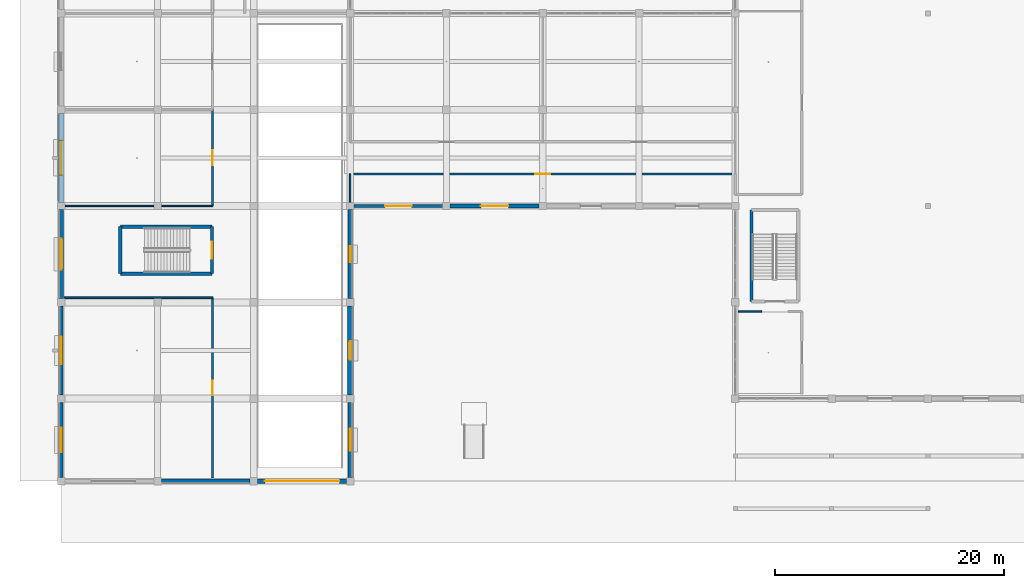
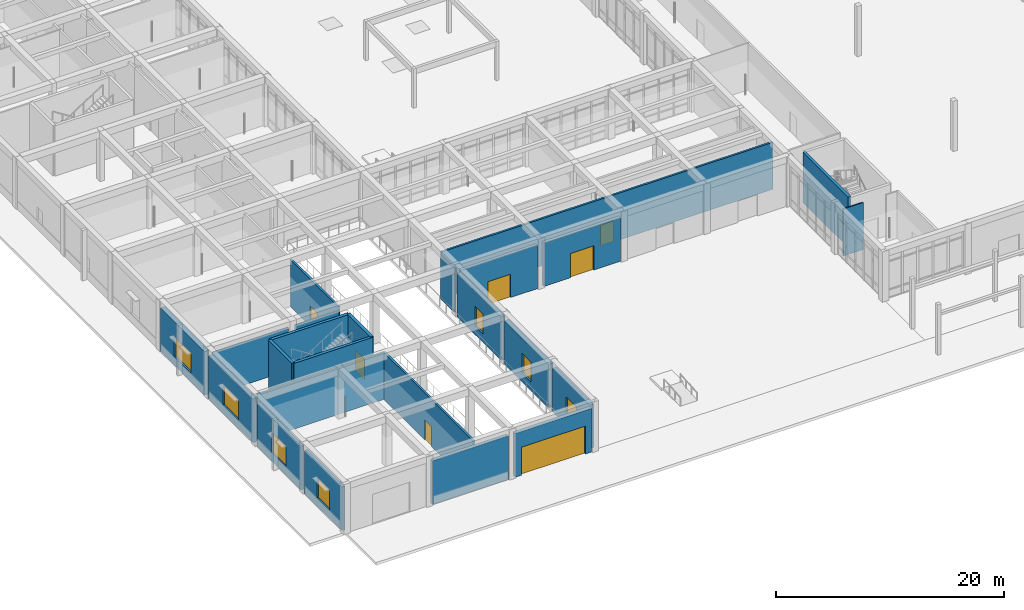
# One storey, part 61 of 167: 24 walls, 7 doors, 7 windows, 14 openings.
"""IFC4 building model written with IfcOpenShell, lengths in metres."""

from ifc_helpers import new_model, si_unit, direction, frame, frame_2d, origin, place, context, subcontext, project, spatial, rectangle, extrude, material, layer, layer_set, type_object, element, fill, save


model = new_model("IFC4")

# Units and contexts
model_context = context("Model", 3, precision=1e-05, world=origin(), true_north=direction((0.0, 1.0)))
body_context = subcontext(model_context, "Body", "Model", "MODEL_VIEW")
ifc_project = project(units=[si_unit("LENGTHUNIT", "METRE"), si_unit("AREAUNIT", "SQUARE_METRE"), si_unit("VOLUMEUNIT", "CUBIC_METRE"), si_unit("PLANEANGLEUNIT", "RADIAN"), si_unit("MASSUNIT", "GRAM", prefix="KILO")], contexts=[model_context])

# Site, building, storey
site_placement = place(None, origin())
site = spatial("IfcSite", under=ifc_project, at=site_placement, CompositionType="ELEMENT")
building_placement = place(site_placement, origin())
building = spatial("IfcBuilding", under=site, at=building_placement, Name="Varncliffe General Hospital", CompositionType="ELEMENT")
storey_placement = place(building_placement, origin())
storey = spatial("IfcBuildingStorey", under=building, at=storey_placement, Name="L00", CompositionType="ELEMENT", Elevation=0.0)

# Wall, opening, door
ifc_material_1 = material(Name="Precast concrete C40/50 with insulated cream lime-cement stucco", Category="concrete")
ifc_layer_1 = layer(ifc_material_1, 0.31005859375)
ifc_layer_set_1 = layer_set([ifc_layer_1], Name="Precast concrete C40/50 with insulated cream lime-cement stucco")
wall_type_1 = type_object("IfcWallType", Name="Exterior Insulated Stucco Wall EW20 (310mm)", PredefinedType="SOLIDWALL", material=ifc_layer_set_1)
wall_1_placement = place(storey_placement, frame((41.677001953125, 24.0, 0.0), z_axis=(0.0, 0.0, 1.0), x_axis=(-1.0, 0.0, 0.0)))
wall_1 = element("IfcWall", 1, at=wall_1_placement, inside=storey, type_object=wall_type_1, Name="L00 Exterior Stucco Wall EW20-69", PredefinedType="SOLIDWALL", context=body_context, shape_type="SweptSolid", body=[
    extrude(rectangle(XDim=7.75390625, YDim=0.31005859375, at=frame_2d((3.876953125, 0.0))), origin(), (0.0, 0.0, 1.0), 4.679931640625),
])
opening_1_placement = place(wall_1_placement, frame((2.677001953125, 0.0, 0.0)))
opening_1 = element("IfcOpeningElement", 2, at=opening_1_placement, cuts=wall_1, Name="Opening DE17", PredefinedType="OPENING", context=body_context, shape_type="SweptSolid", body=[
    extrude(rectangle(XDim=2.39990234375, YDim=2.60009765625, at=frame_2d((1.199951171875, 1.300048828125))), frame((0.0, 0.1650390625, 0.0), z_axis=(0.0, -1.0, 0.0), x_axis=(1.0, 0.0, 0.0)), (0.0, 0.0, 1.0), 0.330078125),
])
ifc_material_2 = material(Name="Thermally broken bronze-anodized aluminium and safety glass door", Category="aluminium")
door_type_1 = type_object("IfcDoorType", Name="Exterior Pedestrian Door DE17 (2400x2600)", OperationType="NOTDEFINED", PredefinedType="DOOR", material=ifc_material_2)
door_1_placement = place(opening_1_placement, origin())
door_1 = element("IfcDoor", 3, at=door_1_placement, inside=storey, type_object=door_type_1, Name="Main Pedestrian Entrance and Final Exit Door FE-24", OperationType="DOUBLE_DOOR_SINGLE_SWING", OverallHeight=2.60009765625, OverallWidth=2.39990234375, PredefinedType="DOOR", context=body_context, shape_type="SweptSolid", body=[
    extrude(rectangle(XDim=2.39990234375, YDim=2.60009765625, at=frame_2d((1.199951171875, 1.300048828125))), frame((0.0, 0.02490234375, 0.0), z_axis=(0.0, -1.0, 0.0), x_axis=(1.0, 0.0, 0.0)), (0.0, 0.0, 1.0), 0.050048828125),
])
fill(opening_1, door_1)

# Wall, opening, window
wall_2_placement = place(storey_placement, frame((0.0, 0.322998046875, 0.0), z_axis=(0.0, 0.0, 1.0), x_axis=(0.0, 1.0, 0.0)))
wall_2 = element("IfcWall", 4, at=wall_2_placement, inside=storey, type_object=wall_type_1, Name="L00 Exterior Stucco Wall EW20-77", PredefinedType="SOLIDWALL", context=body_context, shape_type="SweptSolid", body=[
    extrude(rectangle(XDim=6.553955078125, YDim=0.31005859375, at=frame_2d((3.27685546875, 0.0))), origin(), (0.0, 0.0, 1.0), 4.679931640625),
])
opening_2_placement = place(wall_2_placement, frame((2.201904296875, 0.0, 0.89990234375)))
opening_2 = element("IfcOpeningElement", 5, at=opening_2_placement, cuts=wall_2, Name="Opening WN57", PredefinedType="OPENING", context=body_context, shape_type="SweptSolid", body=[
    extrude(rectangle(XDim=2.14990234375, YDim=2.14990234375, at=frame_2d((1.074951171875, 1.074951171875))), frame((0.0, 0.1650390625, 0.0), z_axis=(0.0, -1.0, 0.0), x_axis=(1.0, 0.0, 0.0)), (0.0, 0.0, 1.0), 0.330078125),
])
ifc_material_3 = material(Name="Triple low-E argon insulated vision glazing", Category="glass")
window_type_1 = type_object("IfcWindowType", Name="Triple-Glazed Hospital Window WN57 (2150x2150)", PartitioningType="DOUBLE_PANEL_VERTICAL", PredefinedType="WINDOW", material=ifc_material_3)
window_1_placement = place(opening_2_placement, origin())
window_1 = element("IfcWindow", 6, at=window_1_placement, inside=storey, type_object=window_type_1, Name="L00 Hospital Window WN57-37", OverallHeight=2.14990234375, OverallWidth=2.14990234375, PartitioningType="DOUBLE_PANEL_VERTICAL", PredefinedType="WINDOW", context=body_context, shape_type="SweptSolid", body=[
    extrude(rectangle(XDim=2.14990234375, YDim=2.14990234375, at=frame_2d((1.074951171875, 1.074951171875))), frame((0.0, 0.030029296875, 0.0), z_axis=(0.0, -1.0, 0.0), x_axis=(1.0, 0.0, 0.0)), (0.0, 0.0, 1.0), 0.06005859375),
])
fill(opening_2, window_1)

ifc_layer_2 = layer(ifc_material_1, 0.3798828125)
ifc_layer_set_2 = layer_set([ifc_layer_2], Name="Precast concrete C40/50 with insulated cream lime-cement stucco")
wall_type_2 = type_object("IfcWallType", Name="Exterior Insulated Stucco Wall EW26 (380mm)", PredefinedType="SOLIDWALL", material=ifc_layer_set_2)
wall_3_placement = place(storey_placement, frame((25.199951171875, 23.677001953125, 0.0), z_axis=(0.0, 0.0, 1.0), x_axis=(0.0, -1.0, 0.0)))
wall_3 = element("IfcWall", 7, at=wall_3_placement, inside=storey, type_object=wall_type_2, Name="L00 Exterior Stucco Wall EW26-71", PredefinedType="SOLIDWALL", context=body_context, shape_type="SweptSolid", body=[
    extrude(rectangle(XDim=7.75390625, YDim=0.3798828125, at=frame_2d((3.876953125, 0.0))), origin(), (0.0, 0.0, 1.0), 4.679931640625),
])
opening_3_placement = place(wall_3_placement, frame((3.177001953125, 0.0, 0.89990234375)))
opening_3 = element("IfcOpeningElement", 8, at=opening_3_placement, cuts=wall_3, Name="Opening WN11", PredefinedType="OPENING", context=body_context, shape_type="SweptSolid", body=[
    extrude(rectangle(XDim=1.39990234375, YDim=2.14990234375, at=frame_2d((0.699951171875, 1.074951171875))), frame((0.0, 0.199951171875, 0.0), z_axis=(0.0, -1.0, 0.0), x_axis=(1.0, 0.0, 0.0)), (0.0, 0.0, 1.0), 0.39990234375),
])
window_type_2 = type_object("IfcWindowType", Name="Triple-Glazed Hospital Window WN11 (1400x2150)", PartitioningType="SINGLE_PANEL", PredefinedType="WINDOW", material=ifc_material_3)
window_2_placement = place(opening_3_placement, origin())
window_2 = element("IfcWindow", 9, at=window_2_placement, inside=storey, type_object=window_type_2, Name="L00 Hospital Window WN11-34", OverallHeight=2.14990234375, OverallWidth=1.39990234375, PartitioningType="SINGLE_PANEL", PredefinedType="WINDOW", context=body_context, shape_type="SweptSolid", body=[
    extrude(rectangle(XDim=1.39990234375, YDim=2.14990234375, at=frame_2d((0.699951171875, 1.074951171875))), frame((0.0, 0.030029296875, 0.0), z_axis=(0.0, -1.0, 0.0), x_axis=(1.0, 0.0, 0.0)), (0.0, 0.0, 1.0), 0.06005859375),
])
fill(opening_3, window_2)

# Wall, opening, door
wall_4_placement = place(storey_placement, frame((24.876953125, 0.0, 0.0), z_axis=(0.0, 0.0, 1.0), x_axis=(-1.0, 0.0, 0.0)))
wall_4 = element("IfcWall", 10, at=wall_4_placement, inside=storey, type_object=wall_type_2, Name="L00 Exterior Stucco Wall EW26-74", PredefinedType="SOLIDWALL", context=body_context, shape_type="SweptSolid", body=[
    extrude(rectangle(XDim=7.75390625, YDim=0.3798828125, at=frame_2d((3.876953125, 0.0))), origin(), (0.0, 0.0, 1.0), 4.679931640625),
])
opening_4_placement = place(wall_4_placement, frame((0.626953125, 0.0, 0.0)))
opening_4 = element("IfcOpeningElement", 11, at=opening_4_placement, cuts=wall_4, Name="Opening VG42", PredefinedType="OPENING", context=body_context, shape_type="SweptSolid", body=[
    extrude(rectangle(XDim=6.5, YDim=3.0, at=frame_2d((3.25, 1.5))), frame((0.0, 0.199951171875, 0.0), z_axis=(0.0, -1.0, 0.0), x_axis=(1.0, 0.0, 0.0)), (0.0, 0.0, 1.0), 0.39990234375),
])
ifc_material_4 = material(Name="Insulated motorized dark bronze bi-parting vehicle gate", Category="aluminium")
door_type_2 = type_object("IfcDoorType", Name="Exterior Vehicle Gate VG42 (6500x3000)", OperationType="DOUBLE_DOOR_SLIDING", PredefinedType="GATE", material=ifc_material_4)
door_2_placement = place(opening_4_placement, origin())
door_2 = element("IfcDoor", 12, at=door_2_placement, inside=storey, type_object=door_type_2, Name="Vehicle Gate VG-02 Car-Park Ramp Entrance", OperationType="DOUBLE_DOOR_SLIDING", OverallHeight=3.0, OverallWidth=6.5, PredefinedType="GATE", context=body_context, shape_type="SweptSolid", body=[
    extrude(rectangle(XDim=6.5, YDim=3.0, at=frame_2d((3.25, 1.5))), frame((0.0, 0.02490234375, 0.0), z_axis=(0.0, -1.0, 0.0), x_axis=(1.0, 0.0, 0.0)), (0.0, 0.0, 1.0), 0.050048828125),
])
fill(opening_4, door_2)

# Wall, opening, window
wall_5_placement = place(storey_placement, frame((0.0, 15.923095703125, 0.0), z_axis=(0.0, 0.0, 1.0), x_axis=(0.0, 1.0, 0.0)))
wall_5 = element("IfcWall", 13, at=wall_5_placement, inside=storey, type_object=wall_type_2, Name="L00 Exterior Stucco Wall EW26-79", PredefinedType="SOLIDWALL", context=body_context, shape_type="SweptSolid", body=[
    extrude(rectangle(XDim=7.75390625, YDim=0.3798828125, at=frame_2d((3.876953125, 0.0))), origin(), (0.0, 0.0, 1.0), 4.679931640625),
])
opening_5_placement = place(wall_5_placement, frame((2.527099609375, 0.0, 0.89990234375)))
opening_5 = element("IfcOpeningElement", 14, at=opening_5_placement, cuts=wall_5, Name="Opening WN58", PredefinedType="OPENING", context=body_context, shape_type="SweptSolid", body=[
    extrude(rectangle(XDim=2.699951171875, YDim=2.14990234375, at=frame_2d((1.35009765625, 1.074951171875))), frame((0.0, 0.199951171875, 0.0), z_axis=(0.0, -1.0, 0.0), x_axis=(1.0, 0.0, 0.0)), (0.0, 0.0, 1.0), 0.39990234375),
])
window_type_3 = type_object("IfcWindowType", Name="Triple-Glazed Hospital Window WN58 (2700x2150)", PartitioningType="DOUBLE_PANEL_VERTICAL", PredefinedType="WINDOW", material=ifc_material_3)
window_3_placement = place(opening_5_placement, origin())
window_3 = element("IfcWindow", 15, at=window_3_placement, inside=storey, type_object=window_type_3, Name="L00 Hospital Window WN58-39", OverallHeight=2.14990234375, OverallWidth=2.699951171875, PartitioningType="DOUBLE_PANEL_VERTICAL", PredefinedType="WINDOW", context=body_context, shape_type="SweptSolid", body=[
    extrude(rectangle(XDim=2.699951171875, YDim=2.14990234375, at=frame_2d((1.35009765625, 1.074951171875))), frame((0.0, 0.030029296875, 0.0), z_axis=(0.0, -1.0, 0.0), x_axis=(1.0, 0.0, 0.0)), (0.0, 0.0, 1.0), 0.06005859375),
])
fill(opening_5, window_3)

# Wall, opening, door
ifc_layer_3 = layer(ifc_material_1, 0.2900390625)
ifc_layer_set_3 = layer_set([ifc_layer_3], Name="Precast concrete C40/50 with insulated cream lime-cement stucco")
wall_type_3 = type_object("IfcWallType", Name="Exterior Insulated Stucco Wall EW31 (290mm)", PredefinedType="SOLIDWALL", material=ifc_layer_set_3)
wall_6_placement = place(storey_placement, frame((33.277099609375, 24.0, 0.0), z_axis=(0.0, 0.0, 1.0), x_axis=(-1.0, 0.0, 0.0)))
wall_6 = element("IfcWall", 16, at=wall_6_placement, inside=storey, type_object=wall_type_3, Name="L00 Exterior Stucco Wall EW31-70", PredefinedType="SOLIDWALL", context=body_context, shape_type="SweptSolid", body=[
    extrude(rectangle(XDim=7.754150390625, YDim=0.2900390625, at=frame_2d((3.876953125, 0.0))), origin(), (0.0, 0.0, 1.0), 4.679931640625),
])
opening_6_placement = place(wall_6_placement, frame((2.72705078125, 0.0, 0.0)))
opening_6 = element("IfcOpeningElement", 17, at=opening_6_placement, cuts=wall_6, Name="Opening DE14", PredefinedType="OPENING", context=body_context, shape_type="SweptSolid", body=[
    extrude(rectangle(XDim=2.300048828125, YDim=2.5, at=frame_2d((1.14990234375, 1.25))), frame((0.0, 0.155029296875, 0.0), z_axis=(0.0, -1.0, 0.0), x_axis=(1.0, 0.0, 0.0)), (0.0, 0.0, 1.0), 0.31005859375),
])
door_type_3 = type_object("IfcDoorType", Name="Exterior Pedestrian Door DE14 (2300x2500)", OperationType="NOTDEFINED", PredefinedType="DOOR", material=ifc_material_2)
door_3_placement = place(opening_6_placement, origin())
door_3 = element("IfcDoor", 18, at=door_3_placement, inside=storey, type_object=door_type_3, Name="Main Pedestrian Entrance and Final Exit Door FE-25", OperationType="DOUBLE_DOOR_SINGLE_SWING", OverallHeight=2.5, OverallWidth=2.300048828125, PredefinedType="DOOR", context=body_context, shape_type="SweptSolid", body=[
    extrude(rectangle(XDim=2.300048828125, YDim=2.5, at=frame_2d((1.14990234375, 1.25))), frame((0.0, 0.02490234375, 0.0), z_axis=(0.0, -1.0, 0.0), x_axis=(1.0, 0.0, 0.0)), (0.0, 0.0, 1.0), 0.050048828125),
])
fill(opening_6, door_3)

# Wall, opening, window
wall_7_placement = place(storey_placement, frame((0.0, 7.52294921875, 0.0), z_axis=(0.0, 0.0, 1.0), x_axis=(0.0, 1.0, 0.0)))
wall_7 = element("IfcWall", 19, at=wall_7_placement, inside=storey, type_object=wall_type_3, Name="L00 Exterior Stucco Wall EW31-78", PredefinedType="SOLIDWALL", context=body_context, shape_type="SweptSolid", body=[
    extrude(rectangle(XDim=7.754150390625, YDim=0.2900390625, at=frame_2d((3.876953125, 0.0))), origin(), (0.0, 0.0, 1.0), 4.679931640625),
])
opening_7_placement = place(wall_7_placement, frame((2.677001953125, 0.0, 0.89990234375)))
opening_7 = element("IfcOpeningElement", 20, at=opening_7_placement, cuts=wall_7, Name="Opening WN61", PredefinedType="OPENING", context=body_context, shape_type="SweptSolid", body=[
    extrude(rectangle(XDim=2.39990234375, YDim=2.14990234375, at=frame_2d((1.199951171875, 1.074951171875))), frame((0.0, 0.155029296875, 0.0), z_axis=(0.0, -1.0, 0.0), x_axis=(1.0, 0.0, 0.0)), (0.0, 0.0, 1.0), 0.31005859375),
])
window_type_4 = type_object("IfcWindowType", Name="Triple-Glazed Hospital Window WN61 (2400x2150)", PartitioningType="DOUBLE_PANEL_VERTICAL", PredefinedType="WINDOW", material=ifc_material_3)
window_4_placement = place(opening_7_placement, origin())
window_4 = element("IfcWindow", 21, at=window_4_placement, inside=storey, type_object=window_type_4, Name="L00 Hospital Window WN61-38", OverallHeight=2.14990234375, OverallWidth=2.39990234375, PartitioningType="DOUBLE_PANEL_VERTICAL", PredefinedType="WINDOW", context=body_context, shape_type="SweptSolid", body=[
    extrude(rectangle(XDim=2.39990234375, YDim=2.14990234375, at=frame_2d((1.199951171875, 1.074951171875))), frame((0.0, 0.030029296875, 0.0), z_axis=(0.0, -1.0, 0.0), x_axis=(1.0, 0.0, 0.0)), (0.0, 0.0, 1.0), 0.06005859375),
])
fill(opening_7, window_4)

ifc_material_5 = material(Name="Concrete C40/50 (CSA A23.1 40 MPa)", Category="concrete")
ifc_layer_4 = layer(ifc_material_5, 0.449951171875)
ifc_layer_set_4 = layer_set([ifc_layer_4], Name="Concrete C40/50 (CSA A23.1 40 MPa)")
wall_type_4 = type_object("IfcWallType", Name="Exterior Insulated Stucco Wall EW36 (450mm)", PredefinedType="SOLIDWALL", material=ifc_layer_set_4)
wall_8_placement = place(storey_placement, frame((25.199951171875, 15.277099609375, 0.0), z_axis=(0.0, 0.0, 1.0), x_axis=(0.0, -1.0, 0.0)))
wall_8 = element("IfcWall", 22, at=wall_8_placement, inside=storey, type_object=wall_type_4, Name="L00 Exterior Stucco Wall EW36-72", PredefinedType="SOLIDWALL", context=body_context, shape_type="SweptSolid", body=[
    extrude(rectangle(XDim=7.754150390625, YDim=0.449951171875, at=frame_2d((3.876953125, 0.0))), origin(), (0.0, 0.0, 1.0), 4.679931640625),
])
opening_8_placement = place(wall_8_placement, frame((3.052001953125, 0.0, 0.89990234375)))
opening_8 = element("IfcOpeningElement", 23, at=opening_8_placement, cuts=wall_8, Name="Opening WN42", PredefinedType="OPENING", context=body_context, shape_type="SweptSolid", body=[
    extrude(rectangle(XDim=1.64990234375, YDim=2.14990234375, at=frame_2d((0.824951171875, 1.074951171875))), frame((0.0, 0.23486328125, 0.0), z_axis=(0.0, -1.0, 0.0), x_axis=(1.0, 0.0, 0.0)), (0.0, 0.0, 1.0), 0.469970703125),
])
window_type_5 = type_object("IfcWindowType", Name="Triple-Glazed Hospital Window WN42 (1650x2150)", PartitioningType="DOUBLE_PANEL_VERTICAL", PredefinedType="WINDOW", material=ifc_material_3)
window_5_placement = place(opening_8_placement, origin())
window_5 = element("IfcWindow", 24, at=window_5_placement, inside=storey, type_object=window_type_5, Name="L00 Hospital Window WN42-35", OverallHeight=2.14990234375, OverallWidth=1.64990234375, PartitioningType="DOUBLE_PANEL_VERTICAL", PredefinedType="WINDOW", context=body_context, shape_type="SweptSolid", body=[
    extrude(rectangle(XDim=1.64990234375, YDim=2.14990234375, at=frame_2d((0.824951171875, 1.074951171875))), frame((0.0, 0.030029296875, 0.0), z_axis=(0.0, -1.0, 0.0), x_axis=(1.0, 0.0, 0.0)), (0.0, 0.0, 1.0), 0.06005859375),
])
fill(opening_8, window_5)

wall_9_placement = place(storey_placement, frame((0.0, 24.322998046875, 0.0), z_axis=(0.0, 0.0, 1.0), x_axis=(0.0, 1.0, 0.0)))
wall_9 = element("IfcWall", 25, at=wall_9_placement, inside=storey, type_object=wall_type_4, Name="L00 Exterior Stucco Wall EW36-80", PredefinedType="SOLIDWALL", context=body_context, shape_type="SweptSolid", body=[
    extrude(rectangle(XDim=7.75390625, YDim=0.449951171875, at=frame_2d((3.876953125, 0.0))), origin(), (0.0, 0.0, 1.0), 4.679931640625),
])
opening_9_placement = place(wall_9_placement, frame((2.376953125, 0.0, 0.89990234375)))
opening_9 = element("IfcOpeningElement", 26, at=opening_9_placement, cuts=wall_9, Name="Opening WN37", PredefinedType="OPENING", context=body_context, shape_type="SweptSolid", body=[
    extrude(rectangle(XDim=3.0, YDim=2.14990234375, at=frame_2d((1.5, 1.074951171875))), frame((0.0, 0.23486328125, 0.0), z_axis=(0.0, -1.0, 0.0), x_axis=(1.0, 0.0, 0.0)), (0.0, 0.0, 1.0), 0.469970703125),
])
window_type_6 = type_object("IfcWindowType", Name="Triple-Glazed Hospital Window WN37 (3000x2150)", PartitioningType="DOUBLE_PANEL_VERTICAL", PredefinedType="WINDOW", material=ifc_material_3)
window_6_placement = place(opening_9_placement, origin())
window_6 = element("IfcWindow", 27, at=window_6_placement, inside=storey, type_object=window_type_6, Name="L00 Hospital Window WN37-40", OverallHeight=2.14990234375, OverallWidth=3.0, PartitioningType="DOUBLE_PANEL_VERTICAL", PredefinedType="WINDOW", context=body_context, shape_type="SweptSolid", body=[
    extrude(rectangle(XDim=3.0, YDim=2.14990234375, at=frame_2d((1.5, 1.074951171875))), frame((0.0, 0.030029296875, 0.0), z_axis=(0.0, -1.0, 0.0), x_axis=(1.0, 0.0, 0.0)), (0.0, 0.0, 1.0), 0.06005859375),
])
fill(opening_9, window_6)

# Wall
ifc_layer_5 = layer(ifc_material_1, 0.35009765625)
ifc_layer_set_5 = layer_set([ifc_layer_5], Name="Precast concrete C40/50 with insulated cream lime-cement stucco")
wall_type_5 = type_object("IfcWallType", Name="Exterior Insulated Stucco Wall EW37 (350mm)", PredefinedType="SOLIDWALL", material=ifc_layer_set_5)
wall_10_placement = place(storey_placement, frame((16.47705078125, 0.0, 0.0), z_axis=(0.0, 0.0, 1.0), x_axis=(-1.0, 0.0, 0.0)))
element("IfcWall", 28, at=wall_10_placement, inside=storey, type_object=wall_type_5, Name="L00 Exterior Stucco Wall EW37-75", PredefinedType="SOLIDWALL", context=body_context, shape_type="SweptSolid", body=[
    extrude(rectangle(XDim=7.754150390625, YDim=0.35009765625, at=frame_2d((3.876953125, 0.0))), origin(), (0.0, 0.0, 1.0), 4.679931640625),
])

# Wall, opening, window
ifc_layer_6 = layer(ifc_material_1, 0.39990234375)
ifc_layer_set_6 = layer_set([ifc_layer_6], Name="Precast concrete C40/50 with insulated cream lime-cement stucco")
wall_type_6 = type_object("IfcWallType", Name="Exterior Insulated Stucco Wall EW47 (400mm)", PredefinedType="SOLIDWALL", material=ifc_layer_set_6)
wall_11_placement = place(storey_placement, frame((25.199951171875, 6.876953125, 0.0), z_axis=(0.0, 0.0, 1.0), x_axis=(0.0, -1.0, 0.0)))
wall_11 = element("IfcWall", 29, at=wall_11_placement, inside=storey, type_object=wall_type_6, Name="L00 Exterior Stucco Wall EW47-73", PredefinedType="SOLIDWALL", context=body_context, shape_type="SweptSolid", body=[
    extrude(rectangle(XDim=6.553955078125, YDim=0.39990234375, at=frame_2d((3.27685546875, 0.0))), origin(), (0.0, 0.0, 1.0), 4.679931640625),
])
opening_10_placement = place(wall_11_placement, frame((2.326904296875, 0.0, 0.89990234375)))
opening_10 = element("IfcOpeningElement", 30, at=opening_10_placement, cuts=wall_11, Name="Opening WN15", PredefinedType="OPENING", context=body_context, shape_type="SweptSolid", body=[
    extrude(rectangle(XDim=1.89990234375, YDim=2.14990234375, at=frame_2d((0.949951171875, 1.074951171875))), frame((0.0, 0.2099609375, 0.0), z_axis=(0.0, -1.0, 0.0), x_axis=(1.0, 0.0, 0.0)), (0.0, 0.0, 1.0), 0.419921875),
])
window_type_7 = type_object("IfcWindowType", Name="Triple-Glazed Hospital Window WN15 (1900x2150)", PartitioningType="DOUBLE_PANEL_VERTICAL", PredefinedType="WINDOW", material=ifc_material_3)
window_7_placement = place(opening_10_placement, origin())
window_7 = element("IfcWindow", 31, at=window_7_placement, inside=storey, type_object=window_type_7, Name="L00 Hospital Window WN15-36", OverallHeight=2.14990234375, OverallWidth=1.89990234375, PartitioningType="DOUBLE_PANEL_VERTICAL", PredefinedType="WINDOW", context=body_context, shape_type="SweptSolid", body=[
    extrude(rectangle(XDim=1.89990234375, YDim=2.14990234375, at=frame_2d((0.949951171875, 1.074951171875))), frame((0.0, 0.030029296875, 0.0), z_axis=(0.0, -1.0, 0.0), x_axis=(1.0, 0.0, 0.0)), (0.0, 0.0, 1.0), 0.06005859375),
])
fill(opening_10, window_7)

# Walls
ifc_material_6 = material(Name="Acoustic clinical gypsum stud partition assembly", Category="gypsum")
ifc_layer_7 = layer(ifc_material_6, 0.1298828125)
ifc_layer_set_7 = layer_set([ifc_layer_7], Name="Acoustic clinical gypsum stud partition assembly")
wall_type_7 = type_object("IfcWallType", Name="Interior Partitioning IW11 (130mm)", PredefinedType="PARTITIONING", material=ifc_layer_set_7)
wall_12_placement = place(storey_placement, frame((59.06005859375, 14.800048828125, 0.0), z_axis=(0.0, 0.0, 1.0), x_axis=(1.0, 0.0, 0.0)))
element("IfcWall", 32, at=wall_12_placement, inside=storey, type_object=wall_type_7, Name="L00 Interior Partition Wall IW11-73", PredefinedType="PARTITIONING", context=body_context, shape_type="SweptSolid", body=[
    extrude(rectangle(XDim=2.024658203125, YDim=0.1298828125, at=frame_2d((1.01220703125, 0.0))), origin(), (0.0, 0.0, 1.0), 5.0400390625),
])
wall_13_placement = place(storey_placement, frame((25.199951171875, 24.340087890625, 0.0), z_axis=(0.0, 0.0, 1.0), x_axis=(0.0, 1.0, 0.0)))
element("IfcWall", 33, at=wall_13_placement, inside=storey, type_object=wall_type_7, Name="L00 Interior Partition Wall IW11-288", PredefinedType="PARTITIONING", context=body_context, shape_type="SweptSolid", body=[
    extrude(rectangle(XDim=2.4599609375, YDim=0.1298828125, at=frame_2d((1.22998046875, 0.0))), origin(), (0.0, 0.0, 1.0), 4.68505859375),
])
ifc_layer_8 = layer(ifc_material_6, 0.169921875)
ifc_layer_set_8 = layer_set([ifc_layer_8], Name="Acoustic clinical gypsum stud partition assembly")
wall_type_8 = type_object("IfcWallType", Name="Interior Partitioning IW20 (170mm)", PredefinedType="PARTITIONING", material=ifc_layer_set_8)
wall_14_placement = place(storey_placement, frame((0.260009765625, 16.0, 0.0), z_axis=(0.0, 0.0, 1.0), x_axis=(1.0, 0.0, 0.0)))
element("IfcWall", 34, at=wall_14_placement, inside=storey, type_object=wall_type_8, Name="L00 Interior Partition Wall IW20-75", PredefinedType="PARTITIONING", context=body_context, shape_type="SweptSolid", body=[
    extrude(rectangle(XDim=12.93994140625, YDim=0.169921875, at=frame_2d((6.469970703125, 0.0))), origin(), (0.0, 0.0, 1.0), 5.0400390625),
])
ifc_layer_9 = layer(ifc_material_6, 0.110107421875)
ifc_layer_set_9 = layer_set([ifc_layer_9], Name="Acoustic clinical gypsum stud partition assembly")
wall_type_9 = type_object("IfcWallType", Name="Interior Partitioning IW65 (110mm)", PredefinedType="PARTITIONING", material=ifc_layer_set_9)
wall_15_placement = place(storey_placement, frame((0.340087890625, 24.0, 0.0), z_axis=(0.0, 0.0, 1.0), x_axis=(1.0, 0.0, 0.0)))
element("IfcWall", 35, at=wall_15_placement, inside=storey, type_object=wall_type_9, Name="L00 Interior Partition Wall IW65-77", PredefinedType="PARTITIONING", context=body_context, shape_type="SweptSolid", body=[
    extrude(rectangle(XDim=7.719970703125, YDim=0.110107421875, at=frame_2d((3.85986328125, 0.0))), origin(), (0.0, 0.0, 1.0), 4.635009765625),
])
wall_16_placement = place(storey_placement, frame((8.739990234375, 24.0, 0.0), z_axis=(0.0, 0.0, 1.0), x_axis=(1.0, 0.0, 0.0)))
element("IfcWall", 36, at=wall_16_placement, inside=storey, type_object=wall_type_9, Name="L00 Interior Partition Wall IW65-78", PredefinedType="PARTITIONING", context=body_context, shape_type="SweptSolid", body=[
    extrude(rectangle(XDim=4.4599609375, YDim=0.110107421875, at=frame_2d((2.22998046875, 0.0))), origin(), (0.0, 0.0, 1.0), 4.635009765625),
])

# Wall, opening, door
ifc_material_7 = material(Name="Fire-rated gypsum and mineral-wool partition assembly", Category="gypsum")
ifc_layer_10 = layer(ifc_material_7, 0.199951171875)
ifc_layer_set_10 = layer_set([ifc_layer_10], Name="Fire-rated gypsum and mineral-wool partition assembly")
wall_type_10 = type_object("IfcWallType", Name="Interior Partitioning PW63 (200mm)", PredefinedType="PARTITIONING", material=ifc_layer_set_10)
wall_17_placement = place(storey_placement, frame((25.199951171875, 26.800048828125, 0.0), z_axis=(0.0, 0.0, 1.0), x_axis=(1.0, 0.0, 0.0)))
wall_17 = element("IfcWall", 37, at=wall_17_placement, inside=storey, type_object=wall_type_10, Name="L00 Interior Partition Wall PW63-81", PredefinedType="PARTITIONING", context=body_context, shape_type="SweptSolid", body=[
    extrude(rectangle(XDim=33.60009765625, YDim=0.199951171875, at=frame_2d((16.800048828125, 0.0))), origin(), (0.0, 0.0, 1.0), 5.0400390625),
])
opening_11_placement = place(wall_17_placement, frame((16.14990234375, 0.0, 0.0)))
opening_11 = element("IfcOpeningElement", 38, at=opening_11_placement, cuts=wall_17, Name="Opening DC88", PredefinedType="OPENING", context=body_context, shape_type="SweptSolid", body=[
    extrude(rectangle(XDim=1.300048828125, YDim=2.199951171875, at=frame_2d((0.64990234375, 1.10009765625))), frame((0.0, 0.10986328125, 0.0), z_axis=(0.0, -1.0, 0.0), x_axis=(1.0, 0.0, 0.0)), (0.0, 0.0, 1.0), 0.219970703125),
])
ifc_material_8 = material(Name="Fire-rated hospital steel-frame vision-panel door", Category="steel")
door_type_4 = type_object("IfcDoorType", Name="Interior Hospital Door DC88 (1300x2200)", OperationType="NOTDEFINED", PredefinedType="DOOR", material=ifc_material_8)
door_4_placement = place(opening_11_placement, frame((1.300048828125, 0.0, 0.0), z_axis=(0.0, 0.0, 1.0), x_axis=(-1.0, 0.0, 0.0)))
door_4 = element("IfcDoor", 39, at=door_4_placement, inside=storey, type_object=door_type_4, Name="L00 Emergency Waiting and Triage Reception Door", OperationType="SINGLE_SWING_LEFT", OverallHeight=2.199951171875, OverallWidth=1.300048828125, PredefinedType="DOOR", context=body_context, shape_type="SweptSolid", body=[
    extrude(rectangle(XDim=1.300048828125, YDim=2.199951171875, at=frame_2d((0.64990234375, 1.10009765625))), frame((0.0, 0.02490234375, 0.0), z_axis=(0.0, -1.0, 0.0), x_axis=(1.0, 0.0, 0.0)), (0.0, 0.0, 1.0), 0.050048828125),
])
fill(opening_11, door_4)

wall_18_placement = place(storey_placement, frame((13.199951171875, 0.260009765625, 0.0), z_axis=(0.0, 0.0, 1.0), x_axis=(0.0, 1.0, 0.0)))
wall_18 = element("IfcWall", 40, at=wall_18_placement, inside=storey, type_object=wall_type_10, Name="L00 Interior Partition Wall PW63-269", PredefinedType="PARTITIONING", context=body_context, shape_type="SweptSolid", body=[
    extrude(rectangle(XDim=15.739990234375, YDim=0.199951171875, at=frame_2d((7.8701171875, 0.0))), origin(), (0.0, 0.0, 1.0), 5.0400390625),
])
opening_12_placement = place(wall_18_placement, frame((7.2451171875, 0.0, 0.0)))
opening_12 = element("IfcOpeningElement", 41, at=opening_12_placement, cuts=wall_18, Name="Opening DC44", PredefinedType="OPENING", context=body_context, shape_type="SweptSolid", body=[
    extrude(rectangle(XDim=1.25, YDim=2.14990234375, at=frame_2d((0.625, 1.074951171875))), frame((0.0, 0.10986328125, 0.0), z_axis=(0.0, -1.0, 0.0), x_axis=(1.0, 0.0, 0.0)), (0.0, 0.0, 1.0), 0.219970703125),
])
door_type_5 = type_object("IfcDoorType", Name="Interior Hospital Door DC44 (1250x2150)", OperationType="NOTDEFINED", PredefinedType="DOOR", material=ifc_material_8)
door_5_placement = place(opening_12_placement, origin())
door_5 = element("IfcDoor", 42, at=door_5_placement, inside=storey, type_object=door_type_5, Name="L00 Enclosed Six-Bay Ambulance Arrival Bay Door", OperationType="SINGLE_SWING_LEFT", OverallHeight=2.14990234375, OverallWidth=1.25, PredefinedType="DOOR", context=body_context, shape_type="SweptSolid", body=[
    extrude(rectangle(XDim=1.25, YDim=2.14990234375, at=frame_2d((0.625, 1.074951171875))), frame((0.0, 0.02490234375, 0.0), z_axis=(0.0, -1.0, 0.0), x_axis=(1.0, 0.0, 0.0)), (0.0, 0.0, 1.0), 0.050048828125),
])
fill(opening_12, door_5)

wall_19_placement = place(storey_placement, frame((13.199951171875, 24.0, 0.0), z_axis=(0.0, 0.0, 1.0), x_axis=(0.0, 1.0, 0.0)))
wall_19 = element("IfcWall", 43, at=wall_19_placement, inside=storey, type_object=wall_type_10, Name="L00 Interior Partition Wall PW63-270", PredefinedType="PARTITIONING", context=body_context, shape_type="SweptSolid", body=[
    extrude(rectangle(XDim=8.39990234375, YDim=0.199951171875, at=frame_2d((4.199951171875, 0.0))), origin(), (0.0, 0.0, 1.0), 5.0400390625),
])
opening_13_placement = place(wall_19_placement, frame((3.550048828125, 0.0, 0.0)))
opening_13 = element("IfcOpeningElement", 44, at=opening_13_placement, cuts=wall_19, Name="Opening DC88", PredefinedType="OPENING", context=body_context, shape_type="SweptSolid", body=[
    extrude(rectangle(XDim=1.300048828125, YDim=2.199951171875, at=frame_2d((0.64990234375, 1.10009765625))), frame((0.0, 0.10986328125, 0.0), z_axis=(0.0, -1.0, 0.0), x_axis=(1.0, 0.0, 0.0)), (0.0, 0.0, 1.0), 0.219970703125),
])
door_6_placement = place(opening_13_placement, origin())
door_6 = element("IfcDoor", 45, at=door_6_placement, inside=storey, type_object=door_type_4, Name="L00 Emergency Trauma Resuscitation Bay 1 Door", OperationType="SINGLE_SWING_RIGHT", OverallHeight=2.199951171875, OverallWidth=1.300048828125, PredefinedType="DOOR", context=body_context, shape_type="SweptSolid", body=[
    extrude(rectangle(XDim=1.300048828125, YDim=2.199951171875, at=frame_2d((0.64990234375, 1.10009765625))), frame((0.0, 0.02490234375, 0.0), z_axis=(0.0, -1.0, 0.0), x_axis=(1.0, 0.0, 0.0)), (0.0, 0.0, 1.0), 0.050048828125),
])
fill(opening_13, door_6)

# Walls
ifc_layer_11 = layer(ifc_material_5, 0.300048828125)
ifc_layer_set_11 = layer_set([ifc_layer_11], Name="Concrete C40/50 (CSA A23.1 40 MPa)")
wall_type_11 = type_object("IfcWallType", Name="Reinforced Concrete Core Shear Wall CW12 (300mm)", PredefinedType="SHEAR", material=ifc_layer_set_11)
wall_20_placement = place(storey_placement, frame((13.14990234375, 22.199951171875, 0.0), z_axis=(0.0, 0.0, 1.0), x_axis=(-1.0, 0.0, 0.0)))
element("IfcWall", 46, at=wall_20_placement, inside=storey, type_object=wall_type_11, Name="L00 ST08 Core Shear Wall L", PredefinedType="SHEAR", context=body_context, shape_type="SweptSolid", body=[
    extrude(rectangle(XDim=8.0, YDim=0.300048828125, at=frame_2d((4.0, 0.0))), origin(), (0.0, 0.0, 1.0), 5.39990234375),
])
wall_21_placement = place(storey_placement, frame((5.14990234375, 22.199951171875, 0.0), z_axis=(0.0, 0.0, 1.0), x_axis=(0.0, -1.0, 0.0)))
element("IfcWall", 47, at=wall_21_placement, inside=storey, type_object=wall_type_11, Name="L00 ST08 Core Shear Wall F", PredefinedType="SHEAR", context=body_context, shape_type="SweptSolid", body=[
    extrude(rectangle(XDim=4.099853515625, YDim=0.300048828125, at=frame_2d((2.0498046875, 0.0))), origin(), (0.0, 0.0, 1.0), 5.39990234375),
])
wall_22_placement = place(storey_placement, frame((5.14990234375, 18.10009765625, 0.0), z_axis=(0.0, 0.0, 1.0), x_axis=(1.0, 0.0, 0.0)))
element("IfcWall", 48, at=wall_22_placement, inside=storey, type_object=wall_type_11, Name="L00 ST08 Core Shear Wall R", PredefinedType="SHEAR", context=body_context, shape_type="SweptSolid", body=[
    extrude(rectangle(XDim=8.0, YDim=0.300048828125, at=frame_2d((4.0, 0.0))), origin(), (0.0, 0.0, 1.0), 5.39990234375),
])

# Wall, opening, door
wall_23_placement = place(storey_placement, frame((13.14990234375, 18.10009765625, 0.0), z_axis=(0.0, 0.0, 1.0), x_axis=(0.0, 1.0, 0.0)))
wall_23 = element("IfcWall", 49, at=wall_23_placement, inside=storey, type_object=wall_type_11, Name="L00 ST08 Core Shear Wall N", PredefinedType="SHEAR", context=body_context, shape_type="SweptSolid", body=[
    extrude(rectangle(XDim=4.099853515625, YDim=0.300048828125, at=frame_2d((2.0498046875, 0.0))), origin(), (0.0, 0.0, 1.0), 5.39990234375),
])
opening_14_placement = place(wall_23_placement, frame((1.300048828125, 0.0, 0.0)))
opening_14 = element("IfcOpeningElement", 50, at=opening_14_placement, cuts=wall_23, Name="Opening DF28", PredefinedType="OPENING", context=body_context, shape_type="SweptSolid", body=[
    extrude(rectangle(XDim=1.5, YDim=2.199951171875, at=frame_2d((0.75, 1.10009765625))), frame((0.0, 0.16015625, 0.0), z_axis=(0.0, -1.0, 0.0), x_axis=(1.0, 0.0, 0.0)), (0.0, 0.0, 1.0), 0.320068359375),
])
door_type_6 = type_object("IfcDoorType", Name="Interior Hospital Door DF28 (1500x2200)", OperationType="NOTDEFINED", PredefinedType="DOOR", material=ifc_material_8)
door_7_placement = place(opening_14_placement, origin())
door_7 = element("IfcDoor", 51, at=door_7_placement, inside=storey, type_object=door_type_6, Name="L00 ST08 Protected Exit Stair Door", OperationType="SINGLE_SWING_LEFT", OverallHeight=2.199951171875, OverallWidth=1.5, PredefinedType="DOOR", context=body_context, shape_type="SweptSolid", body=[
    extrude(rectangle(XDim=1.5, YDim=2.199951171875, at=frame_2d((0.75, 1.10009765625))), frame((0.0, 0.02490234375, 0.0), z_axis=(0.0, -1.0, 0.0), x_axis=(1.0, 0.0, 0.0)), (0.0, 0.0, 1.0), 0.050048828125),
])
fill(opening_14, door_7)

# Wall
ifc_layer_12 = layer(ifc_material_5, 0.280029296875)
ifc_layer_set_12 = layer_set([ifc_layer_12], Name="Concrete C40/50 (CSA A23.1 40 MPa)")
wall_type_12 = type_object("IfcWallType", Name="Reinforced Concrete Core Shear Wall CW13 (280mm)", PredefinedType="SHEAR", material=ifc_layer_set_12)
wall_24_placement = place(storey_placement, frame((60.2099609375, 23.639892578125, 0.0), z_axis=(0.0, 0.0, 1.0), x_axis=(0.0, -1.0, 0.0)))
element("IfcWall", 52, at=wall_24_placement, inside=storey, type_object=wall_type_12, Name="L00 ST09 Core Shear Wall R", PredefinedType="SHEAR", context=body_context, shape_type="SweptSolid", body=[
    extrude(rectangle(XDim=7.97998046875, YDim=0.280029296875, at=frame_2d((3.989990234375, 0.0))), origin(), (0.0, 0.0, 1.0), 5.39990234375),
])

save(model, "model.ifc")
